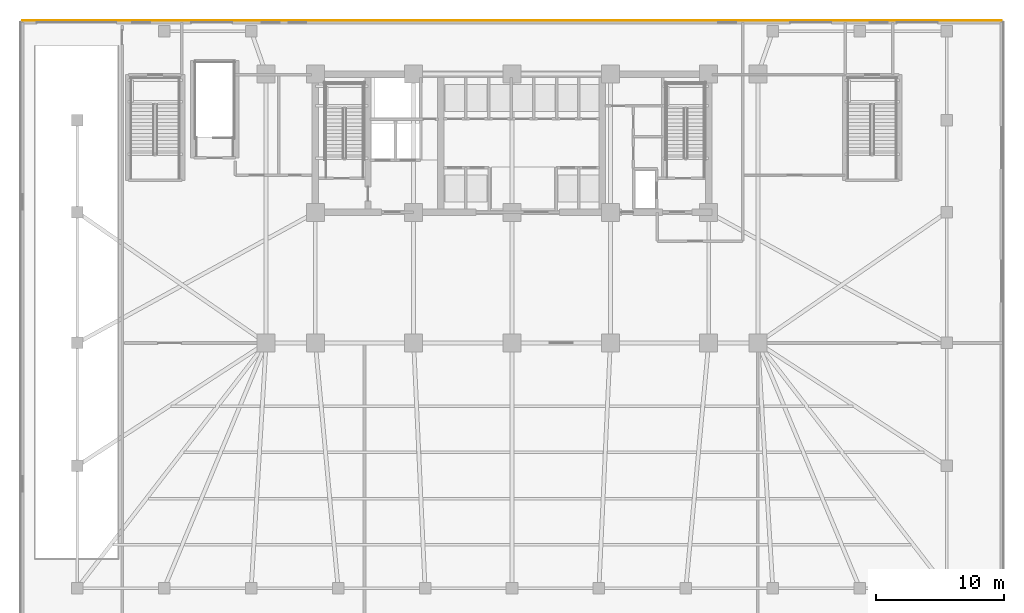
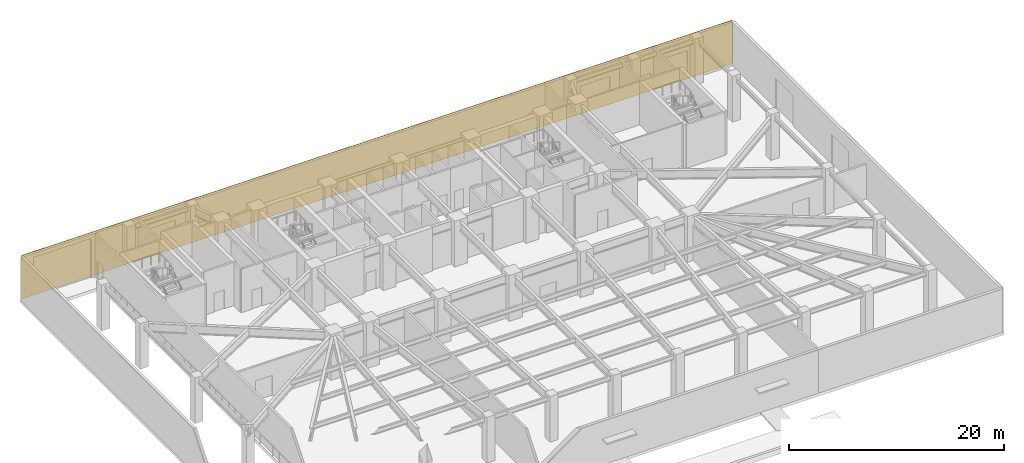
# One storey, part 11 of 15: 1 covering.
"""IFC4 building model written with IfcOpenShell, lengths in metres."""

from ifc_helpers import new_model, si_unit, direction, frame, frame_2d, origin, place, context, subcontext, project, spatial, rectangle, extrude, material, layer, layer_set, type_object, element, save


model = new_model("IFC4")

# Units and contexts
model_context = context("Model", 3, precision=1e-05, world=origin(), true_north=direction((0.0, 1.0)))
body_context = subcontext(model_context, "Body", "Model", "MODEL_VIEW")
ifc_project = project(units=[si_unit("LENGTHUNIT", "METRE"), si_unit("AREAUNIT", "SQUARE_METRE"), si_unit("VOLUMEUNIT", "CUBIC_METRE"), si_unit("PLANEANGLEUNIT", "RADIAN"), si_unit("MASSUNIT", "GRAM", prefix="KILO")], contexts=[model_context])

# Site, building, storey
site_placement = place(None, origin())
site = spatial("IfcSite", under=ifc_project, at=site_placement, CompositionType="ELEMENT")
building_placement = place(site_placement, origin())
building = spatial("IfcBuilding", under=site, at=building_placement, Name="Yelkora Congress Tower", CompositionType="ELEMENT")
storey_placement = place(building_placement, origin())
storey = spatial("IfcBuildingStorey", under=building, at=storey_placement, Name="L00", CompositionType="ELEMENT", Elevation=0.0)

# Covering
ifc_material = material(Name="Anatolian honed limestone ashlar", Category="masonry")
ifc_layer = layer(ifc_material, 0.050048828125)
ifc_layer_set = layer_set([ifc_layer], Name="Anatolian honed limestone ashlar")
covering_type = type_object("IfcCoveringType", Name="COV-CLAD-LIMESTONE-50", PredefinedType="CLADDING", material=ifc_layer_set)
covering_placement = place(storey_placement, frame((76.639892578125, 50.39990234375, 0.0), z_axis=(0.0, 0.0, 1.0), x_axis=(-1.0, 0.0, 0.0)))
element("IfcCovering", 1, at=covering_placement, inside=storey, type_object=covering_type, Name="L00 Anatolian Limestone Cladding EW-L00-NORTH", PredefinedType="CLADDING", context=body_context, shape_type="SweptSolid", body=[
    extrude(rectangle(XDim=76.47998046875, YDim=0.050048828125, at=frame_2d((38.239990234375, 0.0))), origin(), (0.0, 0.0, 1.0), 4.93994140625),
])

save(model, "model.ifc")
